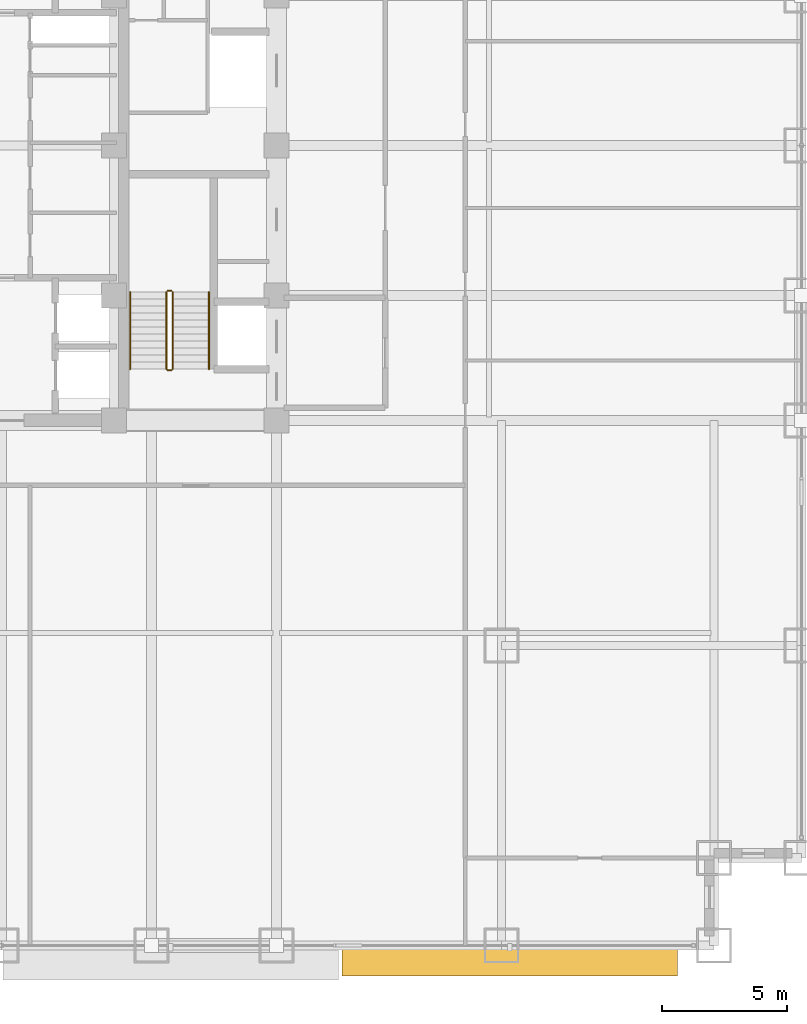
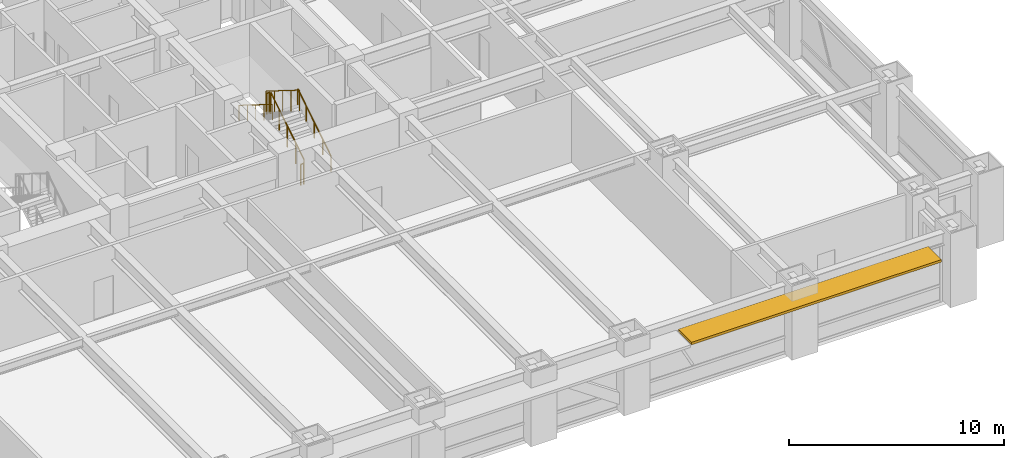
# One storey, part 30 of 32: 6 railings, 1 shading device.
"""IFC4 building model written with IfcOpenShell, lengths in metres."""

from ifc_helpers import new_model, si_unit, direction, frame, origin, origin_2d, place, context, subcontext, project, spatial, rectangle, circle, extrude, source, transform, mapped, material, layer, layer_set, type_object, element, save


model = new_model("IFC4")

# Units and contexts
model_context = context("Model", 3, precision=1e-05, world=origin(), true_north=direction((0.0, 1.0)))
body_context = subcontext(model_context, "Body", "Model", "MODEL_VIEW")
ifc_project = project(units=[si_unit("LENGTHUNIT", "METRE"), si_unit("AREAUNIT", "SQUARE_METRE"), si_unit("VOLUMEUNIT", "CUBIC_METRE"), si_unit("PLANEANGLEUNIT", "RADIAN"), si_unit("MASSUNIT", "GRAM", prefix="KILO")], contexts=[model_context])

# Site, building, storey
site_placement = place(None, origin())
site = spatial("IfcSite", under=ifc_project, at=site_placement, CompositionType="ELEMENT")
building_placement = place(site_placement, origin())
building = spatial("IfcBuilding", under=site, at=building_placement, Name="Khorayat Bourse Tower", CompositionType="ELEMENT")
storey_placement = place(building_placement, frame((0.0, 0.0, 78.800048828125)))
storey = spatial("IfcBuildingStorey", under=building, at=storey_placement, Name="L17", CompositionType="ELEMENT", Elevation=78.800048828125)

# Shading device
ifc_material_1 = material(Name="Precast concrete C45/55", Category="concrete")
ifc_layer = layer(ifc_material_1, 0.139892578125)
ifc_layer_set = layer_set([ifc_layer], Name="Precast concrete C45/55")
shading_device_type = type_object("IfcShadingDeviceType", Name="SHD-WAVE-TRAY-B", PredefinedType="USERDEFINED", material=ifc_layer_set)
shared_shape_1 = source(origin(), body_context, "Body", "SweptSolid", [
    extrude(rectangle(XDim=13.409912109375, YDim=1.237060546875, at=origin_2d()), origin(), (0.0, 0.0, 1.0), 0.139892578125),
])
shading_device_placement = place(storey_placement, frame((20.324951171875, -32.598388671875, 3.18994140625), z_axis=(0.0, 0.0, 1.0), x_axis=(1.0, 0.0, 0.0)))
element("IfcShadingDevice", 1, at=shading_device_placement, inside=storey, type_object=shading_device_type, Name="L17 Sinusoidal Wave Sunshade Tray S-4", ObjectType="SUNSHADE", PredefinedType="USERDEFINED", context=body_context, shape_type="MappedRepresentation", body=[
    mapped(shared_shape_1, transform((0.0, 0.0, 0.0), scale=1.0)),
])

# Railings
ifc_material_2 = material(Name="Powder-coated steel balustrade", Category="steel")
railing_type_1 = type_object("IfcRailingType", Name="RLG-GUARD-1200", PredefinedType="GUARDRAIL", material=ifc_material_2)
shared_shape_2 = source(origin(), body_context, "Body", "SweptSolid", [
    extrude(circle(Radius=0.02392578125, at=origin_2d()), frame((0.0, 0.0, 1.17578125), z_axis=(-1.0, 0.0, 0.0), x_axis=(0.0, -1.0, 0.0)), (0.0, 0.0, 1.0), 0.150146484375),
    extrude(circle(Radius=0.02099609375, at=origin_2d()), origin(), (0.0, 0.0, 1.0), 1.15185546875),
    extrude(circle(Radius=0.02099609375, at=origin_2d()), frame((-0.150146484375, 0.0, 0.0)), (0.0, 0.0, 1.0), 1.15185546875),
])
for number, where, name in (
    (2, (6.800048828125, -5.820068359375, 2.099853515625), "L17 ST-3 stair guard 2"),
    (3, (6.800048828125, -9.0, 0.0), "L17 ST-3 stair guard 4"),
):
    element("IfcRailing", number, at=place(storey_placement, frame(where)), inside=storey, type_object=railing_type_1, Name=name, PredefinedType="GUARDRAIL", context=body_context, shape_type="MappedRepresentation", body=[
        mapped(shared_shape_2, transform((0.0, 0.0, 0.0), scale=1.0)),
    ])
shared_shape_3 = source(origin(), body_context, "Body", "SweptSolid", [
    extrude(circle(Radius=0.02392578125, at=origin_2d()), frame((0.0, 0.0, 1.17578125), z_axis=(0.0, -0.847979421464, 0.530029150871), x_axis=(1.0, 0.0, 0.0)), (0.0, 0.0, 1.0), 3.632080078125),
    extrude(circle(Radius=0.02099609375, at=origin_2d()), origin(), (0.0, 0.0, 1.0), 1.15185546875),
    extrude(circle(Radius=0.02099609375, at=origin_2d()), frame((0.0, -0.77001953125, 0.481201171875)), (0.0, 0.0, 1.0), 1.15185546875),
    extrude(circle(Radius=0.02099609375, at=origin_2d()), frame((0.0, -1.5400390625, 0.96240234375)), (0.0, 0.0, 1.0), 1.15185546875),
    extrude(circle(Radius=0.02099609375, at=origin_2d()), frame((0.0, -2.309814453125, 1.44384765625)), (0.0, 0.0, 1.0), 1.15185546875),
    extrude(circle(Radius=0.02099609375, at=origin_2d()), frame((0.0, -3.079833984375, 1.925048828125)), (0.0, 0.0, 1.0), 1.15185546875),
])
railing_1_placement = place(storey_placement, frame((6.60009765625, -5.8701171875, 2.27490234375)))
element("IfcRailing", 4, at=railing_1_placement, inside=storey, type_object=railing_type_1, Name="L17 ST-3 stair guard 3", PredefinedType="GUARDRAIL", context=body_context, shape_type="MappedRepresentation", body=[
    mapped(shared_shape_3, transform((0.0, 0.0, 0.0), scale=1.0)),
])
ifc_material_3 = material(Name="Brushed bronze stainless-steel handrail", Category="steel")
railing_type_2 = type_object("IfcRailingType", Name="RLG-HAND-900", PredefinedType="HANDRAIL", material=ifc_material_3)
shared_shape_4 = source(origin(), body_context, "Body", "SweptSolid", [
    extrude(circle(Radius=0.02392578125, at=origin_2d()), frame((0.0, 0.0, 0.8759765625), z_axis=(0.0, -0.847979421464, 0.530029150871), x_axis=(1.0, 0.0, 0.0)), (0.0, 0.0, 1.0), 3.632080078125),
    extrude(circle(Radius=0.02099609375, at=origin_2d()), origin(), (0.0, 0.0, 1.0), 0.851806640625),
    extrude(circle(Radius=0.02099609375, at=origin_2d()), frame((0.0, -0.77001953125, 0.481201171875)), (0.0, 0.0, 1.0), 0.851806640625),
    extrude(circle(Radius=0.02099609375, at=origin_2d()), frame((0.0, -1.5400390625, 0.96240234375)), (0.0, 0.0, 1.0), 0.851806640625),
    extrude(circle(Radius=0.02099609375, at=origin_2d()), frame((0.0, -2.309814453125, 1.44384765625)), (0.0, 0.0, 1.0), 0.851806640625),
    extrude(circle(Radius=0.02099609375, at=origin_2d()), frame((0.0, -3.079833984375, 1.925048828125)), (0.0, 0.0, 1.0), 0.851806640625),
])
railing_2_placement = place(storey_placement, frame((5.14990234375, -5.8701171875, 2.27490234375)))
element("IfcRailing", 5, at=railing_2_placement, inside=storey, type_object=railing_type_2, Name="L17 ST-3 stair handrail 2", PredefinedType="HANDRAIL", context=body_context, shape_type="MappedRepresentation", body=[
    mapped(shared_shape_4, transform((0.0, 0.0, 0.0), scale=1.0)),
])
shared_shape_5 = source(origin(), body_context, "Body", "SweptSolid", [
    extrude(circle(Radius=0.02392578125, at=origin_2d()), frame((0.0, 0.0, 1.17578125), z_axis=(0.0, 0.848009633417, 0.529980812513), x_axis=(-1.0, 0.0, 0.0)), (0.0, 0.0, 1.0), 3.6318359375),
    extrude(circle(Radius=0.02099609375, at=origin_2d()), origin(), (0.0, 0.0, 1.0), 1.15185546875),
    extrude(circle(Radius=0.02099609375, at=origin_2d()), frame((0.0, 0.77001953125, 0.481201171875)), (0.0, 0.0, 1.0), 1.15185546875),
    extrude(circle(Radius=0.02099609375, at=origin_2d()), frame((0.0, 1.5400390625, 0.96240234375)), (0.0, 0.0, 1.0), 1.15185546875),
    extrude(circle(Radius=0.02099609375, at=origin_2d()), frame((0.0, 2.309814453125, 1.443603515625)), (0.0, 0.0, 1.0), 1.15185546875),
    extrude(circle(Radius=0.02099609375, at=origin_2d()), frame((0.0, 3.079833984375, 1.9248046875)), (0.0, 0.0, 1.0), 1.15185546875),
])
railing_3_placement = place(storey_placement, frame((6.85009765625, -8.949951171875, 0.175048828125)))
element("IfcRailing", 6, at=railing_3_placement, inside=storey, type_object=railing_type_1, Name="L17 ST-3 stair guard 1", PredefinedType="GUARDRAIL", context=body_context, shape_type="MappedRepresentation", body=[
    mapped(shared_shape_5, transform((0.0, 0.0, 0.0), scale=1.0)),
])
shared_shape_6 = source(origin(), body_context, "Body", "SweptSolid", [
    extrude(circle(Radius=0.02392578125, at=origin_2d()), frame((0.0, 0.0, 0.8759765625), z_axis=(0.0, 0.848009633417, 0.529980812513), x_axis=(-1.0, 0.0, 0.0)), (0.0, 0.0, 1.0), 3.6318359375),
    extrude(circle(Radius=0.02099609375, at=origin_2d()), origin(), (0.0, 0.0, 1.0), 0.851806640625),
    extrude(circle(Radius=0.02099609375, at=origin_2d()), frame((0.0, 0.77001953125, 0.481201171875)), (0.0, 0.0, 1.0), 0.851806640625),
    extrude(circle(Radius=0.02099609375, at=origin_2d()), frame((0.0, 1.5400390625, 0.96240234375)), (0.0, 0.0, 1.0), 0.851806640625),
    extrude(circle(Radius=0.02099609375, at=origin_2d()), frame((0.0, 2.309814453125, 1.443603515625)), (0.0, 0.0, 1.0), 0.851806640625),
    extrude(circle(Radius=0.02099609375, at=origin_2d()), frame((0.0, 3.079833984375, 1.9248046875)), (0.0, 0.0, 1.0), 0.851806640625),
])
railing_4_placement = place(storey_placement, frame((8.300048828125, -8.949951171875, 0.175048828125)))
element("IfcRailing", 7, at=railing_4_placement, inside=storey, type_object=railing_type_2, Name="L17 ST-3 stair handrail 1", PredefinedType="HANDRAIL", context=body_context, shape_type="MappedRepresentation", body=[
    mapped(shared_shape_6, transform((0.0, 0.0, 0.0), scale=1.0)),
])

save(model, "model.ifc")
